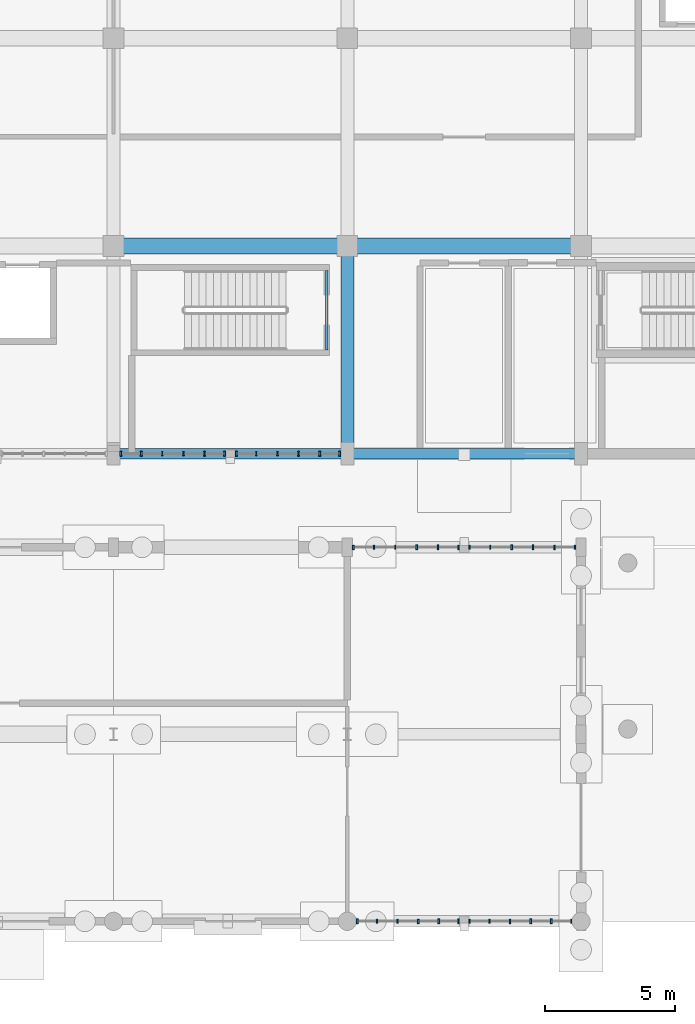
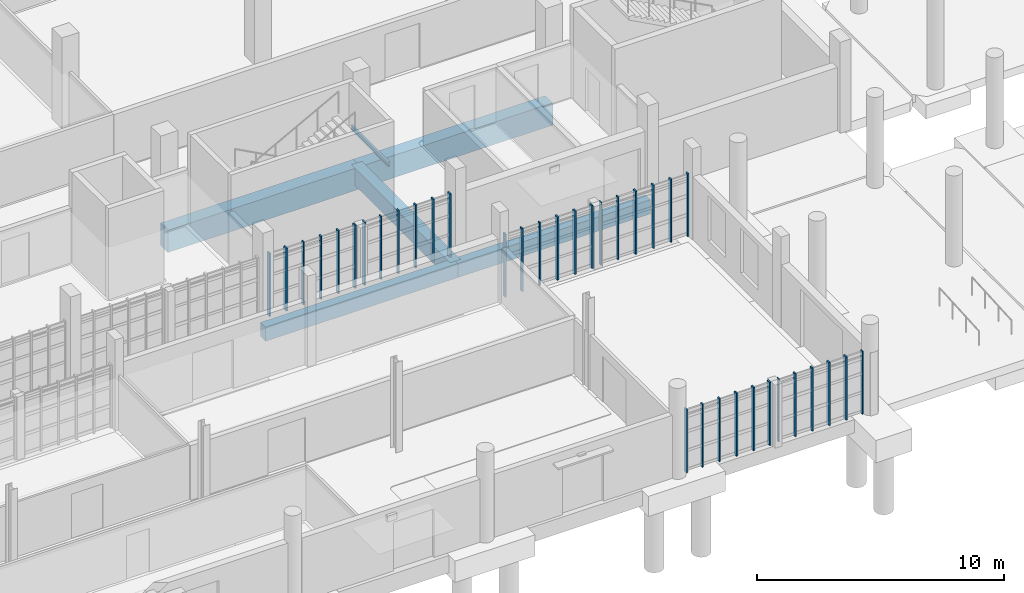
# One storey, part 19 of 63: 36 members, 6 beams, 6 elements without a shape of their own.
"""IFC4 building model written with IfcOpenShell, lengths in metres."""

from ifc_helpers import new_model, si_unit, direction, frame, origin, origin_2d, place, context, subcontext, project, spatial, rectangle, i_section, extrude, material, material_profile, profile_set, type_object, element, aggregate, save


model = new_model("IFC4")

# Units and contexts
model_context = context("Model", 3, precision=1e-05, world=origin(), true_north=direction((0.0, 1.0)))
body_context = subcontext(model_context, "Body", "Model", "MODEL_VIEW")
ifc_project = project(units=[si_unit("LENGTHUNIT", "METRE"), si_unit("AREAUNIT", "SQUARE_METRE"), si_unit("VOLUMEUNIT", "CUBIC_METRE"), si_unit("PLANEANGLEUNIT", "RADIAN"), si_unit("MASSUNIT", "GRAM", prefix="KILO")], contexts=[model_context])

# Site, building, storey
site_placement = place(None, origin())
site = spatial("IfcSite", under=ifc_project, at=site_placement, CompositionType="ELEMENT")
building_placement = place(site_placement, origin())
building = spatial("IfcBuilding", under=site, at=building_placement, Name="Serraforn Aerial Cableway Station", CompositionType="ELEMENT")
storey_placement = place(building_placement, origin())
storey = spatial("IfcBuildingStorey", under=building, at=storey_placement, Name="L00", CompositionType="ELEMENT", Elevation=0.0)

# Beams
ifc_material_1 = material(Name="Concrete C35/45", Category="concrete")
ifc_material_profile_1 = material_profile(ifc_material_1, rectangle(XDim=0.39990234375, YDim=0.699951171875, at=origin_2d()), Name="RC 400x700")
ifc_profile_set_1 = profile_set([ifc_material_profile_1], Name="Concrete C35/45")
beam_type_1 = type_object("IfcBeamType", Name="BM-RC-400x700E", PredefinedType="SPANDREL", material=ifc_profile_set_1)
for number, where, z_axis, x_axis, name in (
    (1, (63.60009765625, 18.0, -0.7099609375), (1.0, 0.0, 0.0), (0.0, 1.0, 0.0), "Grid Girder X CV L00 Y1-5"),
    (2, (72.60009765625, 18.0, -0.7099609375), (1.0, 0.0, 0.0), (0.0, 1.0, 0.0), "Grid Girder X CV L00 Y1-6"),
):
    element("IfcBeam", number, at=place(storey_placement, frame(where, z_axis=z_axis, x_axis=x_axis)), inside=storey, type_object=beam_type_1, Name=name, PredefinedType="SPANDREL", context=body_context, shape_type="SweptSolid", body=[
        extrude(rectangle(XDim=0.39990234375, YDim=0.699951171875, at=origin_2d()), origin(), (0.0, 0.0, 1.0), 9.0),
    ])
ifc_material_profile_2 = material_profile(ifc_material_1, rectangle(XDim=0.5, YDim=0.85009765625, at=origin_2d()), Name="RC 500x850")
ifc_profile_set_2 = profile_set([ifc_material_profile_2], Name="Concrete C35/45")
beam_type_2 = type_object("IfcBeamType", Name="BM-RC-500x850", PredefinedType="USERDEFINED", material=ifc_profile_set_2)
beam_1_placement = place(storey_placement, frame((72.60009765625, 18.0, -0.784912109375), z_axis=(0.0, 1.0, 0.0), x_axis=(-1.0, 0.0, 0.0)))
element("IfcBeam", 3, at=beam_1_placement, inside=storey, type_object=beam_type_2, Name="Grid Girder Y CV L00 X6-1", ObjectType="GIRDER", PredefinedType="USERDEFINED", context=body_context, shape_type="SweptSolid", body=[
    extrude(rectangle(XDim=0.5, YDim=0.85009765625, at=origin_2d()), origin(), (0.0, 0.0, 1.0), 8.0),
])
ifc_material_2 = material(Name="Concrete C40/50", Category="concrete")
ifc_material_profile_3 = material_profile(ifc_material_2, rectangle(XDim=0.60009765625, YDim=1.10009765625, at=origin_2d()), Name="RC 600x1100")
ifc_profile_set_3 = profile_set([ifc_material_profile_3], Name="Concrete C40/50")
beam_type_3 = type_object("IfcBeamType", Name="BM-RC-600x1100", PredefinedType="USERDEFINED", material=ifc_profile_set_3)
for number, where, z_axis, x_axis, name in (
    (4, (63.60009765625, 26.0, -0.909912109375), (1.0, 0.0, 0.0), (0.0, 1.0, 0.0), "Grid Girder X CV L00 Y2-5"),
    (5, (72.60009765625, 26.0, -0.909912109375), (1.0, 0.0, 0.0), (0.0, 1.0, 0.0), "Grid Girder X CV L00 Y2-6"),
):
    element("IfcBeam", number, at=place(storey_placement, frame(where, z_axis=z_axis, x_axis=x_axis)), inside=storey, type_object=beam_type_3, Name=name, ObjectType="GIRDER", PredefinedType="USERDEFINED", context=body_context, shape_type="SweptSolid", body=[
        extrude(rectangle(XDim=0.60009765625, YDim=1.10009765625, at=origin_2d()), origin(), (0.0, 0.0, 1.0), 9.0),
    ])
ifc_material_3 = material(Name="Steel S355JR", Category="steel")
ifc_material_profile_4 = material_profile(ifc_material_3, i_section(OverallWidth=0.10009765625, OverallDepth=0.199951171875, WebThickness=0.005615234375, FlangeThickness=0.008544921875, FilletRadius=0.011962890625, at=origin_2d()), Name="IPE 200")
ifc_profile_set_4 = profile_set([ifc_material_profile_4], Name="Steel S355JR")
beam_type_4 = type_object("IfcBeamType", Name="BM-ST-IPE200", PredefinedType="LINTEL", material=ifc_profile_set_4)
beam_2_placement = place(storey_placement, frame((71.81005859375, 25.06005859375, 2.27490234375), z_axis=(0.0, -1.0, 0.0), x_axis=(1.0, 0.0, 0.0)))
element("IfcBeam", 6, at=beam_2_placement, inside=storey, type_object=beam_type_4, Name="Stair Core Door Lintel D-S23", PredefinedType="LINTEL", context=body_context, shape_type="SweptSolid", body=[
    extrude(i_section(OverallWidth=0.10009765625, OverallDepth=0.199951171875, WebThickness=0.005615234375, FlangeThickness=0.008544921875, FilletRadius=0.011962890625, at=origin_2d()), origin(), (0.0, 0.0, 1.0), 3.06005859375),
])

# Curtain wall, member
ifc_material_4 = material(Name="Anodised bronze unitised curtain wall")
curtain_wall_type_1 = type_object("IfcCurtainWallType", Name="CW-SYS-21", PredefinedType="USERDEFINED", material=ifc_material_4)
curtain_wall_1_placement = place(storey_placement, origin())
curtain_wall_1 = element("IfcCurtainWall", 7, at=curtain_wall_1_placement, inside=storey, type_object=curtain_wall_type_1, Name="Unitised Curtain Wall CW-CF-L00-S6A", ObjectType="UNITISED CURTAIN WALL", PredefinedType="USERDEFINED")
ifc_material_5 = material(Name="Anodised bronze extruded aluminium", Category="aluminium")
ifc_material_profile_5 = material_profile(ifc_material_5, rectangle(XDim=0.054931640625, YDim=0.139892578125, at=origin_2d()), Name="CW MULLION 55x140")
ifc_profile_set_5 = profile_set([ifc_material_profile_5], Name="Anodised bronze extruded aluminium")
member_type_1 = type_object("IfcMemberType", Name="CW-MUL-1", PredefinedType="MULLION", material=ifc_profile_set_5)
member_1_placement = place(storey_placement, frame((73.742431640625, 0.0, 0.0), z_axis=(0.0, 0.0, 1.0), x_axis=(1.0, 0.0, 0.0)))
member_1 = element("IfcMember", 8, at=member_1_placement, type_object=member_type_1, Name="Curtain Wall Mullion CW-CF-L00-S6A-M2", PredefinedType="MULLION", context=body_context, shape_type="SweptSolid", body=[
    extrude(rectangle(XDim=0.054931640625, YDim=0.139892578125, at=origin_2d()), origin(), (0.0, 0.0, 1.0), 3.1201171875),
])

# Curtain wall, members
curtain_wall_type_2 = type_object("IfcCurtainWallType", Name="CW-SYS-22", PredefinedType="USERDEFINED", material=ifc_material_4)
curtain_wall_2_placement = place(storey_placement, origin())
curtain_wall_2 = element("IfcCurtainWall", 9, at=curtain_wall_2_placement, inside=storey, type_object=curtain_wall_type_2, Name="Unitised Curtain Wall CW-CF-L00-S6B", ObjectType="UNITISED CURTAIN WALL", PredefinedType="USERDEFINED")
member_2_placement = place(storey_placement, frame((77.3076171875, 0.0, 0.0), z_axis=(0.0, 0.0, 1.0), x_axis=(1.0, 0.0, 0.0)))
member_2 = element("IfcMember", 10, at=member_2_placement, type_object=member_type_1, Name="Curtain Wall Mullion CW-CF-L00-S6B-M1", PredefinedType="MULLION", context=body_context, shape_type="SweptSolid", body=[
    extrude(rectangle(XDim=0.054931640625, YDim=0.139892578125, at=origin_2d()), origin(), (0.0, 0.0, 1.0), 3.1201171875),
])
member_3_placement = place(storey_placement, frame((81.224609375, 0.0, 0.0), z_axis=(0.0, 0.0, 1.0), x_axis=(1.0, 0.0, 0.0)))
member_3 = element("IfcMember", 11, at=member_3_placement, type_object=member_type_1, Name="Curtain Wall Mullion CW-CF-L00-S6B-M6", PredefinedType="MULLION", context=body_context, shape_type="SweptSolid", body=[
    extrude(rectangle(XDim=0.054931640625, YDim=0.139892578125, at=origin_2d()), origin(), (0.0, 0.0, 1.0), 3.1201171875),
])

# Curtain wall, member
curtain_wall_type_3 = type_object("IfcCurtainWallType", Name="CW-SYS-23", PredefinedType="USERDEFINED", material=ifc_material_4)
curtain_wall_3_placement = place(storey_placement, origin())
curtain_wall_3 = element("IfcCurtainWall", 12, at=curtain_wall_3_placement, inside=storey, type_object=curtain_wall_type_3, Name="Unitised Curtain Wall CW-CF-L00-N6A", ObjectType="UNITISED CURTAIN WALL", PredefinedType="USERDEFINED")
member_4_placement = place(storey_placement, frame((78.1044921875, 14.39990234375, 0.0), z_axis=(0.0, 0.0, 1.0), x_axis=(-1.0, 0.0, 0.0)))
member_4 = element("IfcMember", 13, at=member_4_placement, type_object=member_type_1, Name="Curtain Wall Mullion CW-CF-L00-N6A-M5", PredefinedType="MULLION", context=body_context, shape_type="SweptSolid", body=[
    extrude(rectangle(XDim=0.054931640625, YDim=0.139892578125, at=origin_2d()), origin(), (0.0, 0.0, 1.0), 3.1201171875),
])

curtain_wall_type_4 = type_object("IfcCurtainWallType", Name="CW-SYS-24", PredefinedType="USERDEFINED", material=ifc_material_4)
curtain_wall_4_placement = place(storey_placement, origin())
curtain_wall_4 = element("IfcCurtainWall", 14, at=curtain_wall_4_placement, inside=storey, type_object=curtain_wall_type_4, Name="Unitised Curtain Wall CW-CF-L00-N6B", ObjectType="UNITISED CURTAIN WALL", PredefinedType="USERDEFINED")
member_5_placement = place(storey_placement, frame((74.44677734375, 14.39990234375, 0.0), z_axis=(0.0, 0.0, 1.0), x_axis=(-1.0, 0.0, 0.0)))
member_5 = element("IfcMember", 15, at=member_5_placement, type_object=member_type_1, Name="Curtain Wall Mullion CW-CF-L00-N6B-M4", PredefinedType="MULLION", context=body_context, shape_type="SweptSolid", body=[
    extrude(rectangle(XDim=0.054931640625, YDim=0.139892578125, at=origin_2d()), origin(), (0.0, 0.0, 1.0), 3.1201171875),
])

curtain_wall_type_5 = type_object("IfcCurtainWallType", Name="CW-SYS-7", PredefinedType="USERDEFINED", material=ifc_material_4)
curtain_wall_5_placement = place(storey_placement, origin())
curtain_wall_5 = element("IfcCurtainWall", 16, at=curtain_wall_5_placement, inside=storey, type_object=curtain_wall_type_5, Name="Unitised Curtain Wall CW-CV-L00-S5A", ObjectType="UNITISED CURTAIN WALL", PredefinedType="USERDEFINED")
member_6_placement = place(storey_placement, frame((65.476806640625, 18.0, 0.0), z_axis=(0.0, 0.0, 1.0), x_axis=(1.0, 0.0, 0.0)))
member_6 = element("IfcMember", 17, at=member_6_placement, type_object=member_type_1, Name="Curtain Wall Mullion CW-CV-L00-S5A-M3", PredefinedType="MULLION", context=body_context, shape_type="SweptSolid", body=[
    extrude(rectangle(XDim=0.054931640625, YDim=0.139892578125, at=origin_2d()), origin(), (0.0, 0.0, 1.0), 3.1201171875),
])

curtain_wall_type_6 = type_object("IfcCurtainWallType", Name="CW-SYS-8", PredefinedType="USERDEFINED", material=ifc_material_4)
curtain_wall_6_placement = place(storey_placement, origin())
curtain_wall_6 = element("IfcCurtainWall", 18, at=curtain_wall_6_placement, inside=storey, type_object=curtain_wall_type_6, Name="Unitised Curtain Wall CW-CV-L00-S5B", ObjectType="UNITISED CURTAIN WALL", PredefinedType="USERDEFINED")
member_7_placement = place(storey_placement, frame((69.094482421875, 18.0, 0.0), z_axis=(0.0, 0.0, 1.0), x_axis=(1.0, 0.0, 0.0)))
member_7 = element("IfcMember", 19, at=member_7_placement, type_object=member_type_1, Name="Curtain Wall Mullion CW-CV-L00-S5B-M2", PredefinedType="MULLION", context=body_context, shape_type="SweptSolid", body=[
    extrude(rectangle(XDim=0.054931640625, YDim=0.139892578125, at=origin_2d()), origin(), (0.0, 0.0, 1.0), 3.1201171875),
])

# Member
ifc_material_profile_6 = material_profile(ifc_material_5, rectangle(XDim=0.06005859375, YDim=0.159912109375, at=origin_2d()), Name="CW MULLION 60x160")
ifc_profile_set_6 = profile_set([ifc_material_profile_6], Name="Anodised bronze extruded aluminium")
member_type_2 = type_object("IfcMemberType", Name="CW-MUL-2", PredefinedType="MULLION", material=ifc_profile_set_6)
member_8_placement = place(storey_placement, frame((74.536865234375, 0.0, 0.0), z_axis=(0.0, 0.0, 1.0), x_axis=(1.0, 0.0, 0.0)))
member_8 = element("IfcMember", 20, at=member_8_placement, type_object=member_type_2, Name="Curtain Wall Mullion CW-CF-L00-S6A-M3", PredefinedType="MULLION", context=body_context, shape_type="SweptSolid", body=[
    extrude(rectangle(XDim=0.06005859375, YDim=0.159912109375, at=origin_2d()), origin(), (0.0, 0.0, 1.0), 3.1201171875),
])

member_9_placement = place(storey_placement, frame((78.074462890625, 0.0, 0.0), z_axis=(0.0, 0.0, 1.0), x_axis=(1.0, 0.0, 0.0)))
member_9 = element("IfcMember", 21, at=member_9_placement, type_object=member_type_2, Name="Curtain Wall Mullion CW-CF-L00-S6B-M2", PredefinedType="MULLION", context=body_context, shape_type="SweptSolid", body=[
    extrude(rectangle(XDim=0.06005859375, YDim=0.159912109375, at=origin_2d()), origin(), (0.0, 0.0, 1.0), 3.1201171875),
])

member_10_placement = place(storey_placement, frame((81.3720703125, 14.39990234375, 0.0), z_axis=(0.0, 0.0, 1.0), x_axis=(-1.0, 0.0, 0.0)))
member_10 = element("IfcMember", 22, at=member_10_placement, type_object=member_type_2, Name="Curtain Wall Mullion CW-CF-L00-N6A-M1", PredefinedType="MULLION", context=body_context, shape_type="SweptSolid", body=[
    extrude(rectangle(XDim=0.06005859375, YDim=0.159912109375, at=origin_2d()), origin(), (0.0, 0.0, 1.0), 3.1201171875),
])

member_11_placement = place(storey_placement, frame((77.31005859375, 14.39990234375, 0.0), z_axis=(0.0, 0.0, 1.0), x_axis=(-1.0, 0.0, 0.0)))
member_11 = element("IfcMember", 23, at=member_11_placement, type_object=member_type_2, Name="Curtain Wall Mullion CW-CF-L00-N6A-M6", PredefinedType="MULLION", context=body_context, shape_type="SweptSolid", body=[
    extrude(rectangle(XDim=0.06005859375, YDim=0.159912109375, at=origin_2d()), origin(), (0.0, 0.0, 1.0), 3.1201171875),
])

member_12_placement = place(storey_placement, frame((73.622314453125, 14.39990234375, 0.0), z_axis=(0.0, 0.0, 1.0), x_axis=(-1.0, 0.0, 0.0)))
member_12 = element("IfcMember", 24, at=member_12_placement, type_object=member_type_2, Name="Curtain Wall Mullion CW-CF-L00-N6B-M5", PredefinedType="MULLION", context=body_context, shape_type="SweptSolid", body=[
    extrude(rectangle(XDim=0.06005859375, YDim=0.159912109375, at=origin_2d()), origin(), (0.0, 0.0, 1.0), 3.1201171875),
])

member_13_placement = place(storey_placement, frame((66.291259765625, 18.0, 0.0), z_axis=(0.0, 0.0, 1.0), x_axis=(1.0, 0.0, 0.0)))
member_13 = element("IfcMember", 25, at=member_13_placement, type_object=member_type_2, Name="Curtain Wall Mullion CW-CV-L00-S5A-M4", PredefinedType="MULLION", context=body_context, shape_type="SweptSolid", body=[
    extrude(rectangle(XDim=0.06005859375, YDim=0.159912109375, at=origin_2d()), origin(), (0.0, 0.0, 1.0), 3.1201171875),
])

member_14_placement = place(storey_placement, frame((69.90869140625, 18.0, 0.0), z_axis=(0.0, 0.0, 1.0), x_axis=(1.0, 0.0, 0.0)))
member_14 = element("IfcMember", 26, at=member_14_placement, type_object=member_type_2, Name="Curtain Wall Mullion CW-CV-L00-S5B-M3", PredefinedType="MULLION", context=body_context, shape_type="SweptSolid", body=[
    extrude(rectangle(XDim=0.06005859375, YDim=0.159912109375, at=origin_2d()), origin(), (0.0, 0.0, 1.0), 3.1201171875),
])

ifc_material_profile_7 = material_profile(ifc_material_5, rectangle(XDim=0.06494140625, YDim=0.175048828125, at=origin_2d()), Name="CW MULLION 65x175")
ifc_profile_set_7 = profile_set([ifc_material_profile_7], Name="Anodised bronze extruded aluminium")
member_type_3 = type_object("IfcMemberType", Name="CW-MUL-3", PredefinedType="MULLION", material=ifc_profile_set_7)
member_15_placement = place(storey_placement, frame((75.331298828125, 0.0, 0.0), z_axis=(0.0, 0.0, 1.0), x_axis=(1.0, 0.0, 0.0)))
member_15 = element("IfcMember", 27, at=member_15_placement, type_object=member_type_3, Name="Curtain Wall Mullion CW-CF-L00-S6A-M4", PredefinedType="MULLION", context=body_context, shape_type="SweptSolid", body=[
    extrude(rectangle(XDim=0.06494140625, YDim=0.175048828125, at=origin_2d()), origin(), (0.0, 0.0, 1.0), 3.1201171875),
])

member_16_placement = place(storey_placement, frame((78.868896484375, 0.0, 0.0), z_axis=(0.0, 0.0, 1.0), x_axis=(1.0, 0.0, 0.0)))
member_16 = element("IfcMember", 28, at=member_16_placement, type_object=member_type_3, Name="Curtain Wall Mullion CW-CF-L00-S6B-M3", PredefinedType="MULLION", context=body_context, shape_type="SweptSolid", body=[
    extrude(rectangle(XDim=0.06494140625, YDim=0.175048828125, at=origin_2d()), origin(), (0.0, 0.0, 1.0), 3.1201171875),
])

member_17_placement = place(storey_placement, frame((80.57763671875, 14.39990234375, 0.0), z_axis=(0.0, 0.0, 1.0), x_axis=(-1.0, 0.0, 0.0)))
member_17 = element("IfcMember", 29, at=member_17_placement, type_object=member_type_3, Name="Curtain Wall Mullion CW-CF-L00-N6A-M2", PredefinedType="MULLION", context=body_context, shape_type="SweptSolid", body=[
    extrude(rectangle(XDim=0.06494140625, YDim=0.175048828125, at=origin_2d()), origin(), (0.0, 0.0, 1.0), 3.1201171875),
])

member_18_placement = place(storey_placement, frame((76.887451171875, 14.39990234375, 0.0), z_axis=(0.0, 0.0, 1.0), x_axis=(-1.0, 0.0, 0.0)))
member_18 = element("IfcMember", 30, at=member_18_placement, type_object=member_type_3, Name="Curtain Wall Mullion CW-CF-L00-N6B-M1", PredefinedType="MULLION", context=body_context, shape_type="SweptSolid", body=[
    extrude(rectangle(XDim=0.06494140625, YDim=0.175048828125, at=origin_2d()), origin(), (0.0, 0.0, 1.0), 3.1201171875),
])

member_19_placement = place(storey_placement, frame((72.83056640625, 14.39990234375, 0.0), z_axis=(0.0, 0.0, 1.0), x_axis=(-1.0, 0.0, 0.0)))
member_19 = element("IfcMember", 31, at=member_19_placement, type_object=member_type_3, Name="Curtain Wall Mullion CW-CF-L00-N6B-M6", PredefinedType="MULLION", context=body_context, shape_type="SweptSolid", body=[
    extrude(rectangle(XDim=0.06494140625, YDim=0.175048828125, at=origin_2d()), origin(), (0.0, 0.0, 1.0), 3.1201171875),
])

member_20_placement = place(storey_placement, frame((67.105712890625, 18.0, 0.0), z_axis=(0.0, 0.0, 1.0), x_axis=(1.0, 0.0, 0.0)))
member_20 = element("IfcMember", 32, at=member_20_placement, type_object=member_type_3, Name="Curtain Wall Mullion CW-CV-L00-S5A-M5", PredefinedType="MULLION", context=body_context, shape_type="SweptSolid", body=[
    extrude(rectangle(XDim=0.06494140625, YDim=0.175048828125, at=origin_2d()), origin(), (0.0, 0.0, 1.0), 3.1201171875),
])

member_21_placement = place(storey_placement, frame((70.72314453125, 18.0, 0.0), z_axis=(0.0, 0.0, 1.0), x_axis=(1.0, 0.0, 0.0)))
member_21 = element("IfcMember", 33, at=member_21_placement, type_object=member_type_3, Name="Curtain Wall Mullion CW-CV-L00-S5B-M4", PredefinedType="MULLION", context=body_context, shape_type="SweptSolid", body=[
    extrude(rectangle(XDim=0.06494140625, YDim=0.175048828125, at=origin_2d()), origin(), (0.0, 0.0, 1.0), 3.1201171875),
])

ifc_material_profile_8 = material_profile(ifc_material_5, rectangle(XDim=0.070068359375, YDim=0.18994140625, at=origin_2d()), Name="CW MULLION 70x190")
ifc_profile_set_8 = profile_set([ifc_material_profile_8], Name="Anodised bronze extruded aluminium")
member_type_4 = type_object("IfcMemberType", Name="CW-MUL-4", PredefinedType="MULLION", material=ifc_profile_set_8)
member_22_placement = place(storey_placement, frame((76.12548828125, 0.0, 0.0), z_axis=(0.0, 0.0, 1.0), x_axis=(1.0, 0.0, 0.0)))
member_22 = element("IfcMember", 34, at=member_22_placement, type_object=member_type_4, Name="Curtain Wall Mullion CW-CF-L00-S6A-M5", PredefinedType="MULLION", context=body_context, shape_type="SweptSolid", body=[
    extrude(rectangle(XDim=0.070068359375, YDim=0.18994140625, at=origin_2d()), origin(), (0.0, 0.0, 1.0), 3.1201171875),
])

member_23_placement = place(storey_placement, frame((79.6630859375, 0.0, 0.0), z_axis=(0.0, 0.0, 1.0), x_axis=(1.0, 0.0, 0.0)))
member_23 = element("IfcMember", 35, at=member_23_placement, type_object=member_type_4, Name="Curtain Wall Mullion CW-CF-L00-S6B-M4", PredefinedType="MULLION", context=body_context, shape_type="SweptSolid", body=[
    extrude(rectangle(XDim=0.070068359375, YDim=0.18994140625, at=origin_2d()), origin(), (0.0, 0.0, 1.0), 3.1201171875),
])

member_24_placement = place(storey_placement, frame((79.753173828125, 14.39990234375, 0.0), z_axis=(0.0, 0.0, 1.0), x_axis=(-1.0, 0.0, 0.0)))
member_24 = element("IfcMember", 36, at=member_24_placement, type_object=member_type_4, Name="Curtain Wall Mullion CW-CF-L00-N6A-M3", PredefinedType="MULLION", context=body_context, shape_type="SweptSolid", body=[
    extrude(rectangle(XDim=0.070068359375, YDim=0.18994140625, at=origin_2d()), origin(), (0.0, 0.0, 1.0), 3.1201171875),
])

member_25_placement = place(storey_placement, frame((76.095703125, 14.39990234375, 0.0), z_axis=(0.0, 0.0, 1.0), x_axis=(-1.0, 0.0, 0.0)))
member_25 = element("IfcMember", 37, at=member_25_placement, type_object=member_type_4, Name="Curtain Wall Mullion CW-CF-L00-N6B-M2", PredefinedType="MULLION", context=body_context, shape_type="SweptSolid", body=[
    extrude(rectangle(XDim=0.070068359375, YDim=0.18994140625, at=origin_2d()), origin(), (0.0, 0.0, 1.0), 3.1201171875),
])

member_26_placement = place(storey_placement, frame((63.883056640625, 18.0, 0.0), z_axis=(0.0, 0.0, 1.0), x_axis=(1.0, 0.0, 0.0)))
member_26 = element("IfcMember", 38, at=member_26_placement, type_object=member_type_4, Name="Curtain Wall Mullion CW-CV-L00-S5A-M1", PredefinedType="MULLION", context=body_context, shape_type="SweptSolid", body=[
    extrude(rectangle(XDim=0.070068359375, YDim=0.18994140625, at=origin_2d()), origin(), (0.0, 0.0, 1.0), 3.1201171875),
])

member_27_placement = place(storey_placement, frame((67.885009765625, 18.0, 0.0), z_axis=(0.0, 0.0, 1.0), x_axis=(1.0, 0.0, 0.0)))
member_27 = element("IfcMember", 39, at=member_27_placement, type_object=member_type_4, Name="Curtain Wall Mullion CW-CV-L00-S5A-M6", PredefinedType="MULLION", context=body_context, shape_type="SweptSolid", body=[
    extrude(rectangle(XDim=0.070068359375, YDim=0.18994140625, at=origin_2d()), origin(), (0.0, 0.0, 1.0), 3.1201171875),
])

member_28_placement = place(storey_placement, frame((71.53759765625, 18.0, 0.0), z_axis=(0.0, 0.0, 1.0), x_axis=(1.0, 0.0, 0.0)))
member_28 = element("IfcMember", 40, at=member_28_placement, type_object=member_type_4, Name="Curtain Wall Mullion CW-CV-L00-S5B-M5", PredefinedType="MULLION", context=body_context, shape_type="SweptSolid", body=[
    extrude(rectangle(XDim=0.070068359375, YDim=0.18994140625, at=origin_2d()), origin(), (0.0, 0.0, 1.0), 3.1201171875),
])

ifc_material_profile_9 = material_profile(ifc_material_5, rectangle(XDim=0.074951171875, YDim=0.199951171875, at=origin_2d()), Name="CW MULLION 75x200")
ifc_profile_set_9 = profile_set([ifc_material_profile_9], Name="Anodised bronze extruded aluminium")
member_type_5 = type_object("IfcMemberType", Name="CW-MUL-5", PredefinedType="MULLION", material=ifc_profile_set_9)
member_29_placement = place(storey_placement, frame((72.985595703125, 0.0, 0.0), z_axis=(0.0, 0.0, 1.0), x_axis=(1.0, 0.0, 0.0)))
member_29 = element("IfcMember", 41, at=member_29_placement, type_object=member_type_5, Name="Curtain Wall Mullion CW-CF-L00-S6A-M1", PredefinedType="MULLION", context=body_context, shape_type="SweptSolid", body=[
    extrude(rectangle(XDim=0.074951171875, YDim=0.199951171875, at=origin_2d()), origin(), (0.0, 0.0, 1.0), 3.1201171875),
])

member_30_placement = place(storey_placement, frame((76.882568359375, 0.0, 0.0), z_axis=(0.0, 0.0, 1.0), x_axis=(1.0, 0.0, 0.0)))
member_30 = element("IfcMember", 42, at=member_30_placement, type_object=member_type_5, Name="Curtain Wall Mullion CW-CF-L00-S6A-M6", PredefinedType="MULLION", context=body_context, shape_type="SweptSolid", body=[
    extrude(rectangle(XDim=0.074951171875, YDim=0.199951171875, at=origin_2d()), origin(), (0.0, 0.0, 1.0), 3.1201171875),
])

aggregate(curtain_wall_1, [member_29, member_1, member_8, member_15, member_22, member_30])

member_31_placement = place(storey_placement, frame((80.45751953125, 0.0, 0.0), z_axis=(0.0, 0.0, 1.0), x_axis=(1.0, 0.0, 0.0)))
member_31 = element("IfcMember", 43, at=member_31_placement, type_object=member_type_5, Name="Curtain Wall Mullion CW-CF-L00-S6B-M5", PredefinedType="MULLION", context=body_context, shape_type="SweptSolid", body=[
    extrude(rectangle(XDim=0.074951171875, YDim=0.199951171875, at=origin_2d()), origin(), (0.0, 0.0, 1.0), 3.1201171875),
])

aggregate(curtain_wall_2, [member_2, member_9, member_16, member_23, member_31, member_3])

member_32_placement = place(storey_placement, frame((78.9287109375, 14.39990234375, 0.0), z_axis=(0.0, 0.0, 1.0), x_axis=(-1.0, 0.0, 0.0)))
member_32 = element("IfcMember", 44, at=member_32_placement, type_object=member_type_5, Name="Curtain Wall Mullion CW-CF-L00-N6A-M4", PredefinedType="MULLION", context=body_context, shape_type="SweptSolid", body=[
    extrude(rectangle(XDim=0.074951171875, YDim=0.199951171875, at=origin_2d()), origin(), (0.0, 0.0, 1.0), 3.1201171875),
])

aggregate(curtain_wall_3, [member_10, member_17, member_24, member_32, member_4, member_11])

member_33_placement = place(storey_placement, frame((75.271240234375, 14.39990234375, 0.0), z_axis=(0.0, 0.0, 1.0), x_axis=(-1.0, 0.0, 0.0)))
member_33 = element("IfcMember", 45, at=member_33_placement, type_object=member_type_5, Name="Curtain Wall Mullion CW-CF-L00-N6B-M3", PredefinedType="MULLION", context=body_context, shape_type="SweptSolid", body=[
    extrude(rectangle(XDim=0.074951171875, YDim=0.199951171875, at=origin_2d()), origin(), (0.0, 0.0, 1.0), 3.1201171875),
])

aggregate(curtain_wall_4, [member_18, member_25, member_33, member_5, member_12, member_19])

member_34_placement = place(storey_placement, frame((64.662353515625, 18.0, 0.0), z_axis=(0.0, 0.0, 1.0), x_axis=(1.0, 0.0, 0.0)))
member_34 = element("IfcMember", 46, at=member_34_placement, type_object=member_type_5, Name="Curtain Wall Mullion CW-CV-L00-S5A-M2", PredefinedType="MULLION", context=body_context, shape_type="SweptSolid", body=[
    extrude(rectangle(XDim=0.074951171875, YDim=0.199951171875, at=origin_2d()), origin(), (0.0, 0.0, 1.0), 3.1201171875),
])

aggregate(curtain_wall_5, [member_26, member_34, member_6, member_13, member_20, member_27])

member_35_placement = place(storey_placement, frame((68.3173828125, 18.0, 0.0), z_axis=(0.0, 0.0, 1.0), x_axis=(1.0, 0.0, 0.0)))
member_35 = element("IfcMember", 47, at=member_35_placement, type_object=member_type_5, Name="Curtain Wall Mullion CW-CV-L00-S5B-M1", PredefinedType="MULLION", context=body_context, shape_type="SweptSolid", body=[
    extrude(rectangle(XDim=0.074951171875, YDim=0.199951171875, at=origin_2d()), origin(), (0.0, 0.0, 1.0), 3.1201171875),
])

member_36_placement = place(storey_placement, frame((72.314453125, 18.0, 0.0), z_axis=(0.0, 0.0, 1.0), x_axis=(1.0, 0.0, 0.0)))
member_36 = element("IfcMember", 48, at=member_36_placement, type_object=member_type_5, Name="Curtain Wall Mullion CW-CV-L00-S5B-M6", PredefinedType="MULLION", context=body_context, shape_type="SweptSolid", body=[
    extrude(rectangle(XDim=0.074951171875, YDim=0.199951171875, at=origin_2d()), origin(), (0.0, 0.0, 1.0), 3.1201171875),
])

aggregate(curtain_wall_6, [member_35, member_7, member_14, member_21, member_28, member_36])

save(model, "model.ifc")
